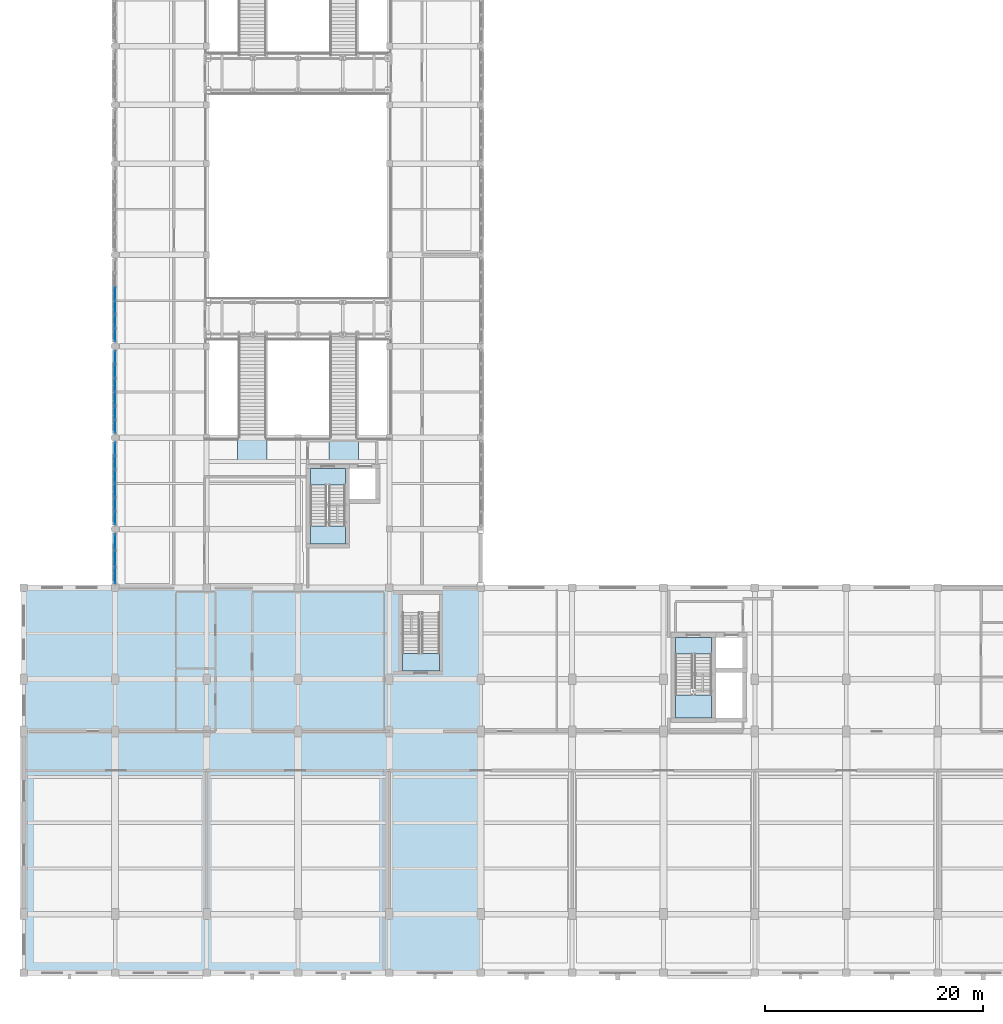
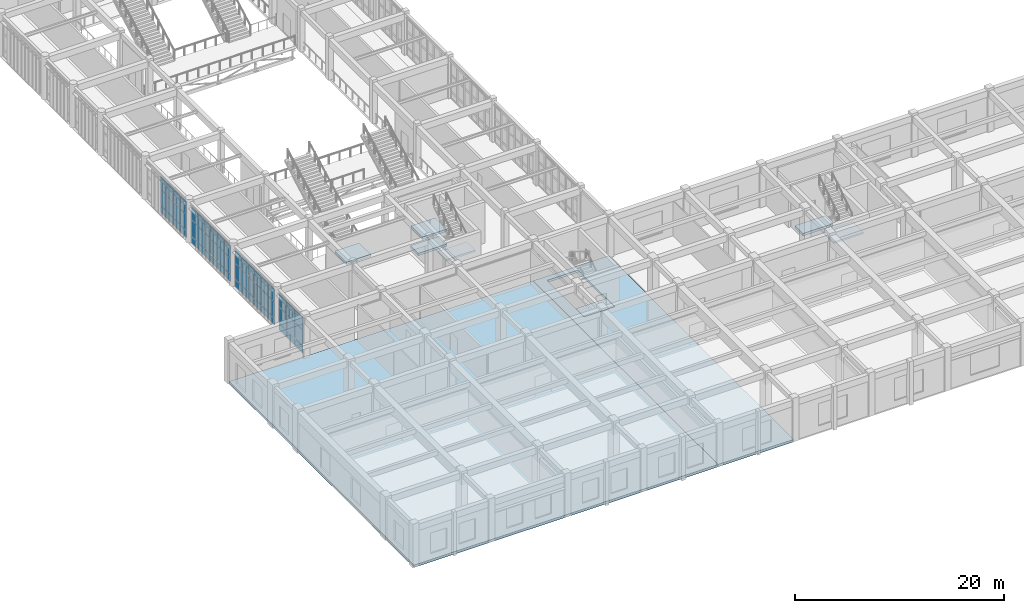
# One storey, part 67 of 106: 57 plates, 9 slabs, 6 elements without a shape of their own.
"""IFC4 building model written with IfcOpenShell, lengths in metres."""

from ifc_helpers import new_model, si_unit, direction, frame, origin, origin_2d, place, context, subcontext, project, spatial, polyline, rectangle, outline, extrude, material, layer, layer_set, type_object, element, aggregate, save


model = new_model("IFC4")

# Units and contexts
model_context = context("Model", 3, precision=1e-05, world=origin(), true_north=direction((0.0, 1.0)))
body_context = subcontext(model_context, "Body", "Model", "MODEL_VIEW")
ifc_project = project(units=[si_unit("LENGTHUNIT", "METRE"), si_unit("AREAUNIT", "SQUARE_METRE"), si_unit("VOLUMEUNIT", "CUBIC_METRE"), si_unit("PLANEANGLEUNIT", "RADIAN"), si_unit("MASSUNIT", "GRAM", prefix="KILO")], contexts=[model_context])

# Site, building, storey
site_placement = place(None, origin())
site = spatial("IfcSite", under=ifc_project, at=site_placement, CompositionType="ELEMENT")
building_placement = place(site_placement, origin())
building = spatial("IfcBuilding", under=site, at=building_placement, Name="Krzemoval Escarpment Law Courts", CompositionType="ELEMENT")
storey_placement = place(building_placement, frame((0.0, 0.0, 5.10009765625)))
storey = spatial("IfcBuildingStorey", under=building, at=storey_placement, Name="L01", CompositionType="ELEMENT", Elevation=5.10009765625)

# Curtain wall, plates
ifc_material_1 = material(Name="Aluminium 6063-T6", Category="aluminium")
ifc_layer_1 = layer(ifc_material_1, 0.280029296875)
ifc_layer_set_1 = layer_set([ifc_layer_1], Name="Aluminium 6063-T6")
curtain_wall_type = type_object("IfcCurtainWallType", Name="CW-HALL-5100", PredefinedType="USERDEFINED", material=ifc_layer_set_1)
curtain_wall_1_placement = place(storey_placement, origin())
curtain_wall_1 = element("IfcCurtainWall", 1, at=curtain_wall_1_placement, inside=storey, type_object=curtain_wall_type, Name="Unitised Curtain Wall FCW-L01-022", ObjectType="UNITISED_CURTAIN_WALL", PredefinedType="USERDEFINED")
ifc_material_2 = material(Name="Triple Glazing IGU", Category="glass")
ifc_layer_2 = layer(ifc_material_2, 0.053955078125)
ifc_layer_set_2 = layer_set([ifc_layer_2], Name="Triple Glazing IGU")
plate_type = type_object("IfcPlateType", Name="CWP-GLZ-54", PredefinedType="CURTAIN_PANEL", material=ifc_layer_set_2)
plate_1_placement = place(storey_placement, frame((8.39990234375, 36.550537109375, 0.0849609375), z_axis=(0.0, 0.0, 1.0), x_axis=(0.0, 1.0, 0.0)))
plate_1 = element("IfcPlate", 2, at=plate_1_placement, type_object=plate_type, Name="FCW-L01-022 panel 1.1", PredefinedType="CURTAIN_PANEL", context=body_context, shape_type="SweptSolid", body=[
    extrude(rectangle(XDim=1.430908203125, YDim=0.053955078125, at=origin_2d()), origin(), (0.0, 0.0, 1.0), 0.7724609375),
])
plate_2_placement = place(storey_placement, frame((8.39990234375, 36.550537109375, 0.9423828125), z_axis=(0.0, 0.0, 1.0), x_axis=(0.0, 1.0, 0.0)))
plate_2 = element("IfcPlate", 3, at=plate_2_placement, type_object=plate_type, Name="FCW-L01-022 panel 1.2", PredefinedType="CURTAIN_PANEL", context=body_context, shape_type="SweptSolid", body=[
    extrude(rectangle(XDim=1.430908203125, YDim=0.053955078125, at=origin_2d()), origin(), (0.0, 0.0, 1.0), 1.81494140625),
])
plate_3_placement = place(storey_placement, frame((8.39990234375, 36.550537109375, 2.842529296875), z_axis=(0.0, 0.0, 1.0), x_axis=(0.0, 1.0, 0.0)))
plate_3 = element("IfcPlate", 4, at=plate_3_placement, type_object=plate_type, Name="FCW-L01-022 panel 1.3", PredefinedType="CURTAIN_PANEL", context=body_context, shape_type="SweptSolid", body=[
    extrude(rectangle(XDim=1.430908203125, YDim=0.053955078125, at=origin_2d()), origin(), (0.0, 0.0, 1.0), 1.4423828125),
])
plate_4_placement = place(storey_placement, frame((8.39990234375, 38.08740234375, 0.0849609375), z_axis=(0.0, 0.0, 1.0), x_axis=(0.0, 1.0, 0.0)))
plate_4 = element("IfcPlate", 5, at=plate_4_placement, type_object=plate_type, Name="FCW-L01-022 panel 2.1", PredefinedType="CURTAIN_PANEL", context=body_context, shape_type="SweptSolid", body=[
    extrude(rectangle(XDim=1.473388671875, YDim=0.053955078125, at=origin_2d()), origin(), (0.0, 0.0, 1.0), 0.7724609375),
])
plate_5_placement = place(storey_placement, frame((8.39990234375, 38.08740234375, 0.9423828125), z_axis=(0.0, 0.0, 1.0), x_axis=(0.0, 1.0, 0.0)))
plate_5 = element("IfcPlate", 6, at=plate_5_placement, type_object=plate_type, Name="FCW-L01-022 panel 2.2", PredefinedType="CURTAIN_PANEL", context=body_context, shape_type="SweptSolid", body=[
    extrude(rectangle(XDim=1.473388671875, YDim=0.053955078125, at=origin_2d()), origin(), (0.0, 0.0, 1.0), 1.81494140625),
])
plate_6_placement = place(storey_placement, frame((8.39990234375, 38.08740234375, 2.842529296875), z_axis=(0.0, 0.0, 1.0), x_axis=(0.0, 1.0, 0.0)))
plate_6 = element("IfcPlate", 7, at=plate_6_placement, type_object=plate_type, Name="FCW-L01-022 panel 2.3", PredefinedType="CURTAIN_PANEL", context=body_context, shape_type="SweptSolid", body=[
    extrude(rectangle(XDim=1.473388671875, YDim=0.053955078125, at=origin_2d()), origin(), (0.0, 0.0, 1.0), 1.4423828125),
])
plate_7_placement = place(storey_placement, frame((8.39990234375, 39.62451171875, 0.0849609375), z_axis=(0.0, 0.0, 1.0), x_axis=(0.0, 1.0, 0.0)))
plate_7 = element("IfcPlate", 8, at=plate_7_placement, type_object=plate_type, Name="FCW-L01-022 panel 3.1", PredefinedType="CURTAIN_PANEL", context=body_context, shape_type="SweptSolid", body=[
    extrude(rectangle(XDim=1.430908203125, YDim=0.053955078125, at=origin_2d()), origin(), (0.0, 0.0, 1.0), 0.7724609375),
])
plate_8_placement = place(storey_placement, frame((8.39990234375, 39.62451171875, 0.9423828125), z_axis=(0.0, 0.0, 1.0), x_axis=(0.0, 1.0, 0.0)))
plate_8 = element("IfcPlate", 9, at=plate_8_placement, type_object=plate_type, Name="FCW-L01-022 panel 3.2", PredefinedType="CURTAIN_PANEL", context=body_context, shape_type="SweptSolid", body=[
    extrude(rectangle(XDim=1.430908203125, YDim=0.053955078125, at=origin_2d()), origin(), (0.0, 0.0, 1.0), 1.81494140625),
])
plate_9_placement = place(storey_placement, frame((8.39990234375, 39.62451171875, 2.842529296875), z_axis=(0.0, 0.0, 1.0), x_axis=(0.0, 1.0, 0.0)))
plate_9 = element("IfcPlate", 10, at=plate_9_placement, type_object=plate_type, Name="FCW-L01-022 panel 3.3", PredefinedType="CURTAIN_PANEL", context=body_context, shape_type="SweptSolid", body=[
    extrude(rectangle(XDim=1.430908203125, YDim=0.053955078125, at=origin_2d()), origin(), (0.0, 0.0, 1.0), 1.4423828125),
])
aggregate(curtain_wall_1, [plate_1, plate_2, plate_3, plate_4, plate_5, plate_6, plate_7, plate_8, plate_9])

curtain_wall_2_placement = place(storey_placement, origin())
curtain_wall_2 = element("IfcCurtainWall", 11, at=curtain_wall_2_placement, inside=storey, type_object=curtain_wall_type, Name="Unitised Curtain Wall FCW-L01-023", ObjectType="UNITISED_CURTAIN_WALL", PredefinedType="USERDEFINED")
plate_10_placement = place(storey_placement, frame((8.39990234375, 41.833740234375, 0.0849609375), z_axis=(0.0, 0.0, 1.0), x_axis=(0.0, 1.0, 0.0)))
plate_10 = element("IfcPlate", 12, at=plate_10_placement, type_object=plate_type, Name="FCW-L01-023 panel 1.1", PredefinedType="CURTAIN_PANEL", context=body_context, shape_type="SweptSolid", body=[
    extrude(rectangle(XDim=1.1474609375, YDim=0.053955078125, at=origin_2d()), origin(), (0.0, 0.0, 1.0), 0.7724609375),
])
plate_11_placement = place(storey_placement, frame((8.39990234375, 41.833740234375, 0.9423828125), z_axis=(0.0, 0.0, 1.0), x_axis=(0.0, 1.0, 0.0)))
plate_11 = element("IfcPlate", 13, at=plate_11_placement, type_object=plate_type, Name="FCW-L01-023 panel 1.2", PredefinedType="CURTAIN_PANEL", context=body_context, shape_type="SweptSolid", body=[
    extrude(rectangle(XDim=1.1474609375, YDim=0.053955078125, at=origin_2d()), origin(), (0.0, 0.0, 1.0), 1.81494140625),
])
plate_12_placement = place(storey_placement, frame((8.39990234375, 41.833740234375, 2.842529296875), z_axis=(0.0, 0.0, 1.0), x_axis=(0.0, 1.0, 0.0)))
plate_12 = element("IfcPlate", 14, at=plate_12_placement, type_object=plate_type, Name="FCW-L01-023 panel 1.3", PredefinedType="CURTAIN_PANEL", context=body_context, shape_type="SweptSolid", body=[
    extrude(rectangle(XDim=1.1474609375, YDim=0.053955078125, at=origin_2d()), origin(), (0.0, 0.0, 1.0), 1.4423828125),
])
plate_13_placement = place(storey_placement, frame((8.39990234375, 43.08740234375, 0.0849609375), z_axis=(0.0, 0.0, 1.0), x_axis=(0.0, 1.0, 0.0)))
plate_13 = element("IfcPlate", 15, at=plate_13_placement, type_object=plate_type, Name="FCW-L01-023 panel 2.1", PredefinedType="CURTAIN_PANEL", context=body_context, shape_type="SweptSolid", body=[
    extrude(rectangle(XDim=1.18994140625, YDim=0.053955078125, at=origin_2d()), origin(), (0.0, 0.0, 1.0), 0.7724609375),
])
plate_14_placement = place(storey_placement, frame((8.39990234375, 43.08740234375, 0.9423828125), z_axis=(0.0, 0.0, 1.0), x_axis=(0.0, 1.0, 0.0)))
plate_14 = element("IfcPlate", 16, at=plate_14_placement, type_object=plate_type, Name="FCW-L01-023 panel 2.2", PredefinedType="CURTAIN_PANEL", context=body_context, shape_type="SweptSolid", body=[
    extrude(rectangle(XDim=1.18994140625, YDim=0.053955078125, at=origin_2d()), origin(), (0.0, 0.0, 1.0), 1.81494140625),
])
plate_15_placement = place(storey_placement, frame((8.39990234375, 43.08740234375, 2.842529296875), z_axis=(0.0, 0.0, 1.0), x_axis=(0.0, 1.0, 0.0)))
plate_15 = element("IfcPlate", 17, at=plate_15_placement, type_object=plate_type, Name="FCW-L01-023 panel 2.3", PredefinedType="CURTAIN_PANEL", context=body_context, shape_type="SweptSolid", body=[
    extrude(rectangle(XDim=1.18994140625, YDim=0.053955078125, at=origin_2d()), origin(), (0.0, 0.0, 1.0), 1.4423828125),
])
plate_16_placement = place(storey_placement, frame((8.39990234375, 44.362548828125, 0.0849609375), z_axis=(0.0, 0.0, 1.0), x_axis=(0.0, 1.0, 0.0)))
plate_16 = element("IfcPlate", 18, at=plate_16_placement, type_object=plate_type, Name="FCW-L01-023 panel 3.1", PredefinedType="CURTAIN_PANEL", context=body_context, shape_type="SweptSolid", body=[
    extrude(rectangle(XDim=1.18994140625, YDim=0.053955078125, at=origin_2d()), origin(), (0.0, 0.0, 1.0), 0.7724609375),
])
plate_17_placement = place(storey_placement, frame((8.39990234375, 44.362548828125, 0.9423828125), z_axis=(0.0, 0.0, 1.0), x_axis=(0.0, 1.0, 0.0)))
plate_17 = element("IfcPlate", 19, at=plate_17_placement, type_object=plate_type, Name="FCW-L01-023 panel 3.2", PredefinedType="CURTAIN_PANEL", context=body_context, shape_type="SweptSolid", body=[
    extrude(rectangle(XDim=1.18994140625, YDim=0.053955078125, at=origin_2d()), origin(), (0.0, 0.0, 1.0), 1.81494140625),
])
plate_18_placement = place(storey_placement, frame((8.39990234375, 44.362548828125, 2.842529296875), z_axis=(0.0, 0.0, 1.0), x_axis=(0.0, 1.0, 0.0)))
plate_18 = element("IfcPlate", 20, at=plate_18_placement, type_object=plate_type, Name="FCW-L01-023 panel 3.3", PredefinedType="CURTAIN_PANEL", context=body_context, shape_type="SweptSolid", body=[
    extrude(rectangle(XDim=1.18994140625, YDim=0.053955078125, at=origin_2d()), origin(), (0.0, 0.0, 1.0), 1.4423828125),
])
plate_19_placement = place(storey_placement, frame((8.39990234375, 45.637451171875, 0.0849609375), z_axis=(0.0, 0.0, 1.0), x_axis=(0.0, 1.0, 0.0)))
plate_19 = element("IfcPlate", 21, at=plate_19_placement, type_object=plate_type, Name="FCW-L01-023 panel 4.1", PredefinedType="CURTAIN_PANEL", context=body_context, shape_type="SweptSolid", body=[
    extrude(rectangle(XDim=1.18994140625, YDim=0.053955078125, at=origin_2d()), origin(), (0.0, 0.0, 1.0), 0.7724609375),
])
plate_20_placement = place(storey_placement, frame((8.39990234375, 45.637451171875, 0.9423828125), z_axis=(0.0, 0.0, 1.0), x_axis=(0.0, 1.0, 0.0)))
plate_20 = element("IfcPlate", 22, at=plate_20_placement, type_object=plate_type, Name="FCW-L01-023 panel 4.2", PredefinedType="CURTAIN_PANEL", context=body_context, shape_type="SweptSolid", body=[
    extrude(rectangle(XDim=1.18994140625, YDim=0.053955078125, at=origin_2d()), origin(), (0.0, 0.0, 1.0), 1.81494140625),
])
plate_21_placement = place(storey_placement, frame((8.39990234375, 45.637451171875, 2.842529296875), z_axis=(0.0, 0.0, 1.0), x_axis=(0.0, 1.0, 0.0)))
plate_21 = element("IfcPlate", 23, at=plate_21_placement, type_object=plate_type, Name="FCW-L01-023 panel 4.3", PredefinedType="CURTAIN_PANEL", context=body_context, shape_type="SweptSolid", body=[
    extrude(rectangle(XDim=1.18994140625, YDim=0.053955078125, at=origin_2d()), origin(), (0.0, 0.0, 1.0), 1.4423828125),
])
plate_22_placement = place(storey_placement, frame((8.39990234375, 46.91259765625, 0.0849609375), z_axis=(0.0, 0.0, 1.0), x_axis=(0.0, 1.0, 0.0)))
plate_22 = element("IfcPlate", 24, at=plate_22_placement, type_object=plate_type, Name="FCW-L01-023 panel 5.1", PredefinedType="CURTAIN_PANEL", context=body_context, shape_type="SweptSolid", body=[
    extrude(rectangle(XDim=1.18994140625, YDim=0.053955078125, at=origin_2d()), origin(), (0.0, 0.0, 1.0), 0.7724609375),
])
plate_23_placement = place(storey_placement, frame((8.39990234375, 46.91259765625, 0.9423828125), z_axis=(0.0, 0.0, 1.0), x_axis=(0.0, 1.0, 0.0)))
plate_23 = element("IfcPlate", 25, at=plate_23_placement, type_object=plate_type, Name="FCW-L01-023 panel 5.2", PredefinedType="CURTAIN_PANEL", context=body_context, shape_type="SweptSolid", body=[
    extrude(rectangle(XDim=1.18994140625, YDim=0.053955078125, at=origin_2d()), origin(), (0.0, 0.0, 1.0), 1.81494140625),
])
plate_24_placement = place(storey_placement, frame((8.39990234375, 46.91259765625, 2.842529296875), z_axis=(0.0, 0.0, 1.0), x_axis=(0.0, 1.0, 0.0)))
plate_24 = element("IfcPlate", 26, at=plate_24_placement, type_object=plate_type, Name="FCW-L01-023 panel 5.3", PredefinedType="CURTAIN_PANEL", context=body_context, shape_type="SweptSolid", body=[
    extrude(rectangle(XDim=1.18994140625, YDim=0.053955078125, at=origin_2d()), origin(), (0.0, 0.0, 1.0), 1.4423828125),
])
plate_25_placement = place(storey_placement, frame((8.39990234375, 48.166259765625, 0.0849609375), z_axis=(0.0, 0.0, 1.0), x_axis=(0.0, 1.0, 0.0)))
plate_25 = element("IfcPlate", 27, at=plate_25_placement, type_object=plate_type, Name="FCW-L01-023 panel 6.1", PredefinedType="CURTAIN_PANEL", context=body_context, shape_type="SweptSolid", body=[
    extrude(rectangle(XDim=1.1474609375, YDim=0.053955078125, at=origin_2d()), origin(), (0.0, 0.0, 1.0), 0.7724609375),
])
plate_26_placement = place(storey_placement, frame((8.39990234375, 48.166259765625, 0.9423828125), z_axis=(0.0, 0.0, 1.0), x_axis=(0.0, 1.0, 0.0)))
plate_26 = element("IfcPlate", 28, at=plate_26_placement, type_object=plate_type, Name="FCW-L01-023 panel 6.2", PredefinedType="CURTAIN_PANEL", context=body_context, shape_type="SweptSolid", body=[
    extrude(rectangle(XDim=1.1474609375, YDim=0.053955078125, at=origin_2d()), origin(), (0.0, 0.0, 1.0), 1.81494140625),
])
plate_27_placement = place(storey_placement, frame((8.39990234375, 48.166259765625, 2.842529296875), z_axis=(0.0, 0.0, 1.0), x_axis=(0.0, 1.0, 0.0)))
plate_27 = element("IfcPlate", 29, at=plate_27_placement, type_object=plate_type, Name="FCW-L01-023 panel 6.3", PredefinedType="CURTAIN_PANEL", context=body_context, shape_type="SweptSolid", body=[
    extrude(rectangle(XDim=1.1474609375, YDim=0.053955078125, at=origin_2d()), origin(), (0.0, 0.0, 1.0), 1.4423828125),
])
aggregate(curtain_wall_2, [plate_10, plate_11, plate_12, plate_13, plate_14, plate_15, plate_16, plate_17, plate_18, plate_19, plate_20, plate_21, plate_22, plate_23, plate_24, plate_25, plate_26, plate_27])

curtain_wall_3_placement = place(storey_placement, origin())
curtain_wall_3 = element("IfcCurtainWall", 30, at=curtain_wall_3_placement, inside=storey, type_object=curtain_wall_type, Name="Unitised Curtain Wall FCW-L01-024", ObjectType="UNITISED_CURTAIN_WALL", PredefinedType="USERDEFINED")
plate_28_placement = place(storey_placement, frame((8.39990234375, 50.233642578125, 0.0849609375), z_axis=(0.0, 0.0, 1.0), x_axis=(0.0, 1.0, 0.0)))
plate_28 = element("IfcPlate", 31, at=plate_28_placement, type_object=plate_type, Name="FCW-L01-024 panel 1.1", PredefinedType="CURTAIN_PANEL", context=body_context, shape_type="SweptSolid", body=[
    extrude(rectangle(XDim=1.1474609375, YDim=0.053955078125, at=origin_2d()), origin(), (0.0, 0.0, 1.0), 0.7724609375),
])
plate_29_placement = place(storey_placement, frame((8.39990234375, 50.233642578125, 0.9423828125), z_axis=(0.0, 0.0, 1.0), x_axis=(0.0, 1.0, 0.0)))
plate_29 = element("IfcPlate", 32, at=plate_29_placement, type_object=plate_type, Name="FCW-L01-024 panel 1.2", PredefinedType="CURTAIN_PANEL", context=body_context, shape_type="SweptSolid", body=[
    extrude(rectangle(XDim=1.1474609375, YDim=0.053955078125, at=origin_2d()), origin(), (0.0, 0.0, 1.0), 1.81494140625),
])
plate_30_placement = place(storey_placement, frame((8.39990234375, 50.233642578125, 2.842529296875), z_axis=(0.0, 0.0, 1.0), x_axis=(0.0, 1.0, 0.0)))
plate_30 = element("IfcPlate", 33, at=plate_30_placement, type_object=plate_type, Name="FCW-L01-024 panel 1.3", PredefinedType="CURTAIN_PANEL", context=body_context, shape_type="SweptSolid", body=[
    extrude(rectangle(XDim=1.1474609375, YDim=0.053955078125, at=origin_2d()), origin(), (0.0, 0.0, 1.0), 1.4423828125),
])
plate_31_placement = place(storey_placement, frame((8.39990234375, 51.487548828125, 0.0849609375), z_axis=(0.0, 0.0, 1.0), x_axis=(0.0, 1.0, 0.0)))
plate_31 = element("IfcPlate", 34, at=plate_31_placement, type_object=plate_type, Name="FCW-L01-024 panel 2.1", PredefinedType="CURTAIN_PANEL", context=body_context, shape_type="SweptSolid", body=[
    extrude(rectangle(XDim=1.18994140625, YDim=0.053955078125, at=origin_2d()), origin(), (0.0, 0.0, 1.0), 0.7724609375),
])
plate_32_placement = place(storey_placement, frame((8.39990234375, 51.487548828125, 0.9423828125), z_axis=(0.0, 0.0, 1.0), x_axis=(0.0, 1.0, 0.0)))
plate_32 = element("IfcPlate", 35, at=plate_32_placement, type_object=plate_type, Name="FCW-L01-024 panel 2.2", PredefinedType="CURTAIN_PANEL", context=body_context, shape_type="SweptSolid", body=[
    extrude(rectangle(XDim=1.18994140625, YDim=0.053955078125, at=origin_2d()), origin(), (0.0, 0.0, 1.0), 1.81494140625),
])
plate_33_placement = place(storey_placement, frame((8.39990234375, 51.487548828125, 2.842529296875), z_axis=(0.0, 0.0, 1.0), x_axis=(0.0, 1.0, 0.0)))
plate_33 = element("IfcPlate", 36, at=plate_33_placement, type_object=plate_type, Name="FCW-L01-024 panel 2.3", PredefinedType="CURTAIN_PANEL", context=body_context, shape_type="SweptSolid", body=[
    extrude(rectangle(XDim=1.18994140625, YDim=0.053955078125, at=origin_2d()), origin(), (0.0, 0.0, 1.0), 1.4423828125),
])
plate_34_placement = place(storey_placement, frame((8.39990234375, 52.762451171875, 0.0849609375), z_axis=(0.0, 0.0, 1.0), x_axis=(0.0, 1.0, 0.0)))
plate_34 = element("IfcPlate", 37, at=plate_34_placement, type_object=plate_type, Name="FCW-L01-024 panel 3.1", PredefinedType="CURTAIN_PANEL", context=body_context, shape_type="SweptSolid", body=[
    extrude(rectangle(XDim=1.18994140625, YDim=0.053955078125, at=origin_2d()), origin(), (0.0, 0.0, 1.0), 0.7724609375),
])
plate_35_placement = place(storey_placement, frame((8.39990234375, 52.762451171875, 0.9423828125), z_axis=(0.0, 0.0, 1.0), x_axis=(0.0, 1.0, 0.0)))
plate_35 = element("IfcPlate", 38, at=plate_35_placement, type_object=plate_type, Name="FCW-L01-024 panel 3.2", PredefinedType="CURTAIN_PANEL", context=body_context, shape_type="SweptSolid", body=[
    extrude(rectangle(XDim=1.18994140625, YDim=0.053955078125, at=origin_2d()), origin(), (0.0, 0.0, 1.0), 1.81494140625),
])
plate_36_placement = place(storey_placement, frame((8.39990234375, 52.762451171875, 2.842529296875), z_axis=(0.0, 0.0, 1.0), x_axis=(0.0, 1.0, 0.0)))
plate_36 = element("IfcPlate", 39, at=plate_36_placement, type_object=plate_type, Name="FCW-L01-024 panel 3.3", PredefinedType="CURTAIN_PANEL", context=body_context, shape_type="SweptSolid", body=[
    extrude(rectangle(XDim=1.18994140625, YDim=0.053955078125, at=origin_2d()), origin(), (0.0, 0.0, 1.0), 1.4423828125),
])
plate_37_placement = place(storey_placement, frame((8.39990234375, 54.03759765625, 0.0849609375), z_axis=(0.0, 0.0, 1.0), x_axis=(0.0, 1.0, 0.0)))
plate_37 = element("IfcPlate", 40, at=plate_37_placement, type_object=plate_type, Name="FCW-L01-024 panel 4.1", PredefinedType="CURTAIN_PANEL", context=body_context, shape_type="SweptSolid", body=[
    extrude(rectangle(XDim=1.18994140625, YDim=0.053955078125, at=origin_2d()), origin(), (0.0, 0.0, 1.0), 0.7724609375),
])
plate_38_placement = place(storey_placement, frame((8.39990234375, 54.03759765625, 0.9423828125), z_axis=(0.0, 0.0, 1.0), x_axis=(0.0, 1.0, 0.0)))
plate_38 = element("IfcPlate", 41, at=plate_38_placement, type_object=plate_type, Name="FCW-L01-024 panel 4.2", PredefinedType="CURTAIN_PANEL", context=body_context, shape_type="SweptSolid", body=[
    extrude(rectangle(XDim=1.18994140625, YDim=0.053955078125, at=origin_2d()), origin(), (0.0, 0.0, 1.0), 1.81494140625),
])
plate_39_placement = place(storey_placement, frame((8.39990234375, 54.03759765625, 2.842529296875), z_axis=(0.0, 0.0, 1.0), x_axis=(0.0, 1.0, 0.0)))
plate_39 = element("IfcPlate", 42, at=plate_39_placement, type_object=plate_type, Name="FCW-L01-024 panel 4.3", PredefinedType="CURTAIN_PANEL", context=body_context, shape_type="SweptSolid", body=[
    extrude(rectangle(XDim=1.18994140625, YDim=0.053955078125, at=origin_2d()), origin(), (0.0, 0.0, 1.0), 1.4423828125),
])
plate_40_placement = place(storey_placement, frame((8.39990234375, 55.3125, 0.0849609375), z_axis=(0.0, 0.0, 1.0), x_axis=(0.0, 1.0, 0.0)))
plate_40 = element("IfcPlate", 43, at=plate_40_placement, type_object=plate_type, Name="FCW-L01-024 panel 5.1", PredefinedType="CURTAIN_PANEL", context=body_context, shape_type="SweptSolid", body=[
    extrude(rectangle(XDim=1.18994140625, YDim=0.053955078125, at=origin_2d()), origin(), (0.0, 0.0, 1.0), 0.7724609375),
])
plate_41_placement = place(storey_placement, frame((8.39990234375, 55.3125, 0.9423828125), z_axis=(0.0, 0.0, 1.0), x_axis=(0.0, 1.0, 0.0)))
plate_41 = element("IfcPlate", 44, at=plate_41_placement, type_object=plate_type, Name="FCW-L01-024 panel 5.2", PredefinedType="CURTAIN_PANEL", context=body_context, shape_type="SweptSolid", body=[
    extrude(rectangle(XDim=1.18994140625, YDim=0.053955078125, at=origin_2d()), origin(), (0.0, 0.0, 1.0), 1.81494140625),
])
plate_42_placement = place(storey_placement, frame((8.39990234375, 55.3125, 2.842529296875), z_axis=(0.0, 0.0, 1.0), x_axis=(0.0, 1.0, 0.0)))
plate_42 = element("IfcPlate", 45, at=plate_42_placement, type_object=plate_type, Name="FCW-L01-024 panel 5.3", PredefinedType="CURTAIN_PANEL", context=body_context, shape_type="SweptSolid", body=[
    extrude(rectangle(XDim=1.18994140625, YDim=0.053955078125, at=origin_2d()), origin(), (0.0, 0.0, 1.0), 1.4423828125),
])
plate_43_placement = place(storey_placement, frame((8.39990234375, 56.566162109375, 0.0849609375), z_axis=(0.0, 0.0, 1.0), x_axis=(0.0, 1.0, 0.0)))
plate_43 = element("IfcPlate", 46, at=plate_43_placement, type_object=plate_type, Name="FCW-L01-024 panel 6.1", PredefinedType="CURTAIN_PANEL", context=body_context, shape_type="SweptSolid", body=[
    extrude(rectangle(XDim=1.1474609375, YDim=0.053955078125, at=origin_2d()), origin(), (0.0, 0.0, 1.0), 0.7724609375),
])
plate_44_placement = place(storey_placement, frame((8.39990234375, 56.566162109375, 0.9423828125), z_axis=(0.0, 0.0, 1.0), x_axis=(0.0, 1.0, 0.0)))
plate_44 = element("IfcPlate", 47, at=plate_44_placement, type_object=plate_type, Name="FCW-L01-024 panel 6.2", PredefinedType="CURTAIN_PANEL", context=body_context, shape_type="SweptSolid", body=[
    extrude(rectangle(XDim=1.1474609375, YDim=0.053955078125, at=origin_2d()), origin(), (0.0, 0.0, 1.0), 1.81494140625),
])
plate_45_placement = place(storey_placement, frame((8.39990234375, 56.566162109375, 2.842529296875), z_axis=(0.0, 0.0, 1.0), x_axis=(0.0, 1.0, 0.0)))
plate_45 = element("IfcPlate", 48, at=plate_45_placement, type_object=plate_type, Name="FCW-L01-024 panel 6.3", PredefinedType="CURTAIN_PANEL", context=body_context, shape_type="SweptSolid", body=[
    extrude(rectangle(XDim=1.1474609375, YDim=0.053955078125, at=origin_2d()), origin(), (0.0, 0.0, 1.0), 1.4423828125),
])
aggregate(curtain_wall_3, [plate_28, plate_29, plate_30, plate_31, plate_32, plate_33, plate_34, plate_35, plate_36, plate_37, plate_38, plate_39, plate_40, plate_41, plate_42, plate_43, plate_44, plate_45])

curtain_wall_4_placement = place(storey_placement, origin())
curtain_wall_4 = element("IfcCurtainWall", 49, at=curtain_wall_4_placement, inside=storey, type_object=curtain_wall_type, Name="Unitised Curtain Wall FCW-L01-025", ObjectType="UNITISED_CURTAIN_WALL", PredefinedType="USERDEFINED")
plate_46_placement = place(storey_placement, frame((8.39990234375, 58.6337890625, 0.0849609375), z_axis=(0.0, 0.0, 1.0), x_axis=(0.0, 1.0, 0.0)))
plate_46 = element("IfcPlate", 50, at=plate_46_placement, type_object=plate_type, Name="FCW-L01-025 panel 1.1", PredefinedType="CURTAIN_PANEL", context=body_context, shape_type="SweptSolid", body=[
    extrude(rectangle(XDim=1.1474609375, YDim=0.053955078125, at=origin_2d()), origin(), (0.0, 0.0, 1.0), 0.7724609375),
])
plate_47_placement = place(storey_placement, frame((8.39990234375, 58.6337890625, 0.9423828125), z_axis=(0.0, 0.0, 1.0), x_axis=(0.0, 1.0, 0.0)))
plate_47 = element("IfcPlate", 51, at=plate_47_placement, type_object=plate_type, Name="FCW-L01-025 panel 1.2", PredefinedType="CURTAIN_PANEL", context=body_context, shape_type="SweptSolid", body=[
    extrude(rectangle(XDim=1.1474609375, YDim=0.053955078125, at=origin_2d()), origin(), (0.0, 0.0, 1.0), 1.81494140625),
])
plate_48_placement = place(storey_placement, frame((8.39990234375, 58.6337890625, 2.842529296875), z_axis=(0.0, 0.0, 1.0), x_axis=(0.0, 1.0, 0.0)))
plate_48 = element("IfcPlate", 52, at=plate_48_placement, type_object=plate_type, Name="FCW-L01-025 panel 1.3", PredefinedType="CURTAIN_PANEL", context=body_context, shape_type="SweptSolid", body=[
    extrude(rectangle(XDim=1.1474609375, YDim=0.053955078125, at=origin_2d()), origin(), (0.0, 0.0, 1.0), 1.4423828125),
])
plate_49_placement = place(storey_placement, frame((8.39990234375, 59.887451171875, 0.0849609375), z_axis=(0.0, 0.0, 1.0), x_axis=(0.0, 1.0, 0.0)))
plate_49 = element("IfcPlate", 53, at=plate_49_placement, type_object=plate_type, Name="FCW-L01-025 panel 2.1", PredefinedType="CURTAIN_PANEL", context=body_context, shape_type="SweptSolid", body=[
    extrude(rectangle(XDim=1.18994140625, YDim=0.053955078125, at=origin_2d()), origin(), (0.0, 0.0, 1.0), 0.7724609375),
])
plate_50_placement = place(storey_placement, frame((8.39990234375, 59.887451171875, 0.9423828125), z_axis=(0.0, 0.0, 1.0), x_axis=(0.0, 1.0, 0.0)))
plate_50 = element("IfcPlate", 54, at=plate_50_placement, type_object=plate_type, Name="FCW-L01-025 panel 2.2", PredefinedType="CURTAIN_PANEL", context=body_context, shape_type="SweptSolid", body=[
    extrude(rectangle(XDim=1.18994140625, YDim=0.053955078125, at=origin_2d()), origin(), (0.0, 0.0, 1.0), 1.81494140625),
])
plate_51_placement = place(storey_placement, frame((8.39990234375, 59.887451171875, 2.842529296875), z_axis=(0.0, 0.0, 1.0), x_axis=(0.0, 1.0, 0.0)))
plate_51 = element("IfcPlate", 55, at=plate_51_placement, type_object=plate_type, Name="FCW-L01-025 panel 2.3", PredefinedType="CURTAIN_PANEL", context=body_context, shape_type="SweptSolid", body=[
    extrude(rectangle(XDim=1.18994140625, YDim=0.053955078125, at=origin_2d()), origin(), (0.0, 0.0, 1.0), 1.4423828125),
])
plate_52_placement = place(storey_placement, frame((8.39990234375, 61.16259765625, 0.0849609375), z_axis=(0.0, 0.0, 1.0), x_axis=(0.0, 1.0, 0.0)))
plate_52 = element("IfcPlate", 56, at=plate_52_placement, type_object=plate_type, Name="FCW-L01-025 panel 3.1", PredefinedType="CURTAIN_PANEL", context=body_context, shape_type="SweptSolid", body=[
    extrude(rectangle(XDim=1.18994140625, YDim=0.053955078125, at=origin_2d()), origin(), (0.0, 0.0, 1.0), 0.7724609375),
])
plate_53_placement = place(storey_placement, frame((8.39990234375, 61.16259765625, 0.9423828125), z_axis=(0.0, 0.0, 1.0), x_axis=(0.0, 1.0, 0.0)))
plate_53 = element("IfcPlate", 57, at=plate_53_placement, type_object=plate_type, Name="FCW-L01-025 panel 3.2", PredefinedType="CURTAIN_PANEL", context=body_context, shape_type="SweptSolid", body=[
    extrude(rectangle(XDim=1.18994140625, YDim=0.053955078125, at=origin_2d()), origin(), (0.0, 0.0, 1.0), 1.81494140625),
])
plate_54_placement = place(storey_placement, frame((8.39990234375, 61.16259765625, 2.842529296875), z_axis=(0.0, 0.0, 1.0), x_axis=(0.0, 1.0, 0.0)))
plate_54 = element("IfcPlate", 58, at=plate_54_placement, type_object=plate_type, Name="FCW-L01-025 panel 3.3", PredefinedType="CURTAIN_PANEL", context=body_context, shape_type="SweptSolid", body=[
    extrude(rectangle(XDim=1.18994140625, YDim=0.053955078125, at=origin_2d()), origin(), (0.0, 0.0, 1.0), 1.4423828125),
])
plate_55_placement = place(storey_placement, frame((8.39990234375, 62.4375, 0.0849609375), z_axis=(0.0, 0.0, 1.0), x_axis=(0.0, 1.0, 0.0)))
plate_55 = element("IfcPlate", 59, at=plate_55_placement, type_object=plate_type, Name="FCW-L01-025 panel 4.1", PredefinedType="CURTAIN_PANEL", context=body_context, shape_type="SweptSolid", body=[
    extrude(rectangle(XDim=1.18994140625, YDim=0.053955078125, at=origin_2d()), origin(), (0.0, 0.0, 1.0), 0.7724609375),
])
plate_56_placement = place(storey_placement, frame((8.39990234375, 62.4375, 0.9423828125), z_axis=(0.0, 0.0, 1.0), x_axis=(0.0, 1.0, 0.0)))
plate_56 = element("IfcPlate", 60, at=plate_56_placement, type_object=plate_type, Name="FCW-L01-025 panel 4.2", PredefinedType="CURTAIN_PANEL", context=body_context, shape_type="SweptSolid", body=[
    extrude(rectangle(XDim=1.18994140625, YDim=0.053955078125, at=origin_2d()), origin(), (0.0, 0.0, 1.0), 1.81494140625),
])
plate_57_placement = place(storey_placement, frame((8.39990234375, 62.4375, 2.842529296875), z_axis=(0.0, 0.0, 1.0), x_axis=(0.0, 1.0, 0.0)))
plate_57 = element("IfcPlate", 61, at=plate_57_placement, type_object=plate_type, Name="FCW-L01-025 panel 4.3", PredefinedType="CURTAIN_PANEL", context=body_context, shape_type="SweptSolid", body=[
    extrude(rectangle(XDim=1.18994140625, YDim=0.053955078125, at=origin_2d()), origin(), (0.0, 0.0, 1.0), 1.4423828125),
])
aggregate(curtain_wall_4, [plate_46, plate_47, plate_48, plate_49, plate_50, plate_51, plate_52, plate_53, plate_54, plate_55, plate_56, plate_57])

# Stair, slab
ifc_material_3 = material(Name="Concrete C40/50", Category="concrete")
stair_type_1 = type_object("IfcStairType", Name="STR-CORE-1550", PredefinedType="HALF_TURN_STAIR", material=ifc_material_3)
stair_1_placement = place(storey_placement, origin())
stair_1 = element("IfcStair", 62, at=stair_1_placement, inside=storey, type_object=stair_type_1, Name="L01 ST4", PredefinedType="HALF_TURN_STAIR")
ifc_material_4 = material(Name="Concrete C40/50", Category="concrete")
ifc_layer_3 = layer(ifc_material_4, 0.199951171875)
ifc_layer_set_3 = layer_set([ifc_layer_3], Name="Concrete C40/50")
slab_type_1 = type_object("IfcSlabType", Name="SL-LND-200", PredefinedType="LANDING", material=ifc_layer_set_3)
slab_1_placement = place(storey_placement, frame((0.0, 0.0, 2.349853515625)))
slab_1 = element("IfcSlab", 63, at=slab_1_placement, type_object=slab_type_1, Name="ST4 landing 1", PredefinedType="LANDING", context=body_context, shape_type="SweptSolid", body=[
    extrude(outline(polyline([(59.89990234375, 25.530029296875), (59.89990234375, 23.449951171875), (63.199951171875, 23.449951171875), (63.199951171875, 25.530029296875), (59.89990234375, 25.530029296875)])), origin(), (0.0, 0.0, 1.0), 0.199951171875),
])
aggregate(stair_1, [slab_1])

ifc_material_5 = material(Name="Concrete C40/50", Category="concrete")
stair_type_2 = type_object("IfcStairType", Name="STR-CORE-1500", PredefinedType="HALF_TURN_STAIR", material=ifc_material_5)
stair_2_placement = place(storey_placement, origin())
stair_2 = element("IfcStair", 64, at=stair_2_placement, inside=storey, type_object=stair_type_2, Name="L01 ST5", PredefinedType="HALF_TURN_STAIR")
slab_2_placement = place(storey_placement, frame((0.0, 0.0, 2.349853515625)))
slab_2 = element("IfcSlab", 65, at=slab_2_placement, type_object=slab_type_1, Name="ST5 landing 1", PredefinedType="LANDING", context=body_context, shape_type="SweptSolid", body=[
    extrude(outline(polyline([(26.35009765625, 41.080078125), (26.35009765625, 39.449951171875), (29.550048828125, 39.449951171875), (29.550048828125, 41.080078125), (26.35009765625, 41.080078125)])), origin(), (0.0, 0.0, 1.0), 0.199951171875),
])
aggregate(stair_2, [slab_2])

# Slabs
ifc_material_6 = material(Name="Concrete C50/60", Category="concrete")
ifc_layer_4 = layer(ifc_material_6, 0.280029296875)
ifc_layer_set_4 = layer_set([ifc_layer_4], Name="Concrete C50/60")
slab_type_2 = type_object("IfcSlabType", Name="SL-PT-280", PredefinedType="FLOOR", material=ifc_layer_set_4)
slab_3_placement = place(storey_placement, frame((0.0, 0.0, -0.280029296875)))
element("IfcSlab", 66, at=slab_3_placement, inside=storey, type_object=slab_type_2, Name="Floor Slab SL-L01-V1-017", PredefinedType="FLOOR", context=body_context, shape_type="SweptSolid", body=[
    extrude(outline(polyline([(0.0, 0.0), (0.0, 35.39990234375), (33.60009765625, 35.39990234375), (33.60009765625, 0.0), (0.0, 0.0)])), origin(), (0.0, 0.0, 1.0), 0.280029296875),
])
slab_4_placement = place(storey_placement, frame((0.0, 0.0, -0.280029296875)))
element("IfcSlab", 67, at=slab_4_placement, inside=storey, type_object=slab_type_2, Name="Floor Slab SL-L01-V2-018", PredefinedType="FLOOR", context=body_context, shape_type="SweptSolid", body=[
    extrude(outline(polyline([(33.60009765625, 0.0), (33.60009765625, 35.39990234375), (41.9599609375, 35.39990234375), (41.9599609375, 0.0), (33.60009765625, 0.0)]), holes=[polyline([(38.199951171875, 34.800048828125), (34.800048828125, 34.800048828125), (34.800048828125, 27.75), (38.199951171875, 27.75), (38.199951171875, 34.800048828125)])]), origin(), (0.0, 0.0, 1.0), 0.280029296875),
])
slab_5_placement = place(storey_placement, frame((0.0, 0.0, -0.280029296875)))
element("IfcSlab", 68, at=slab_5_placement, inside=storey, type_object=slab_type_2, Name="Core Floor Landing Slab SL-ST4-L01-FL", PredefinedType="FLOOR", context=body_context, shape_type="SweptSolid", body=[
    extrude(outline(polyline([(59.89990234375, 30.85009765625), (59.89990234375, 29.300048828125), (63.199951171875, 29.300048828125), (63.199951171875, 30.85009765625), (59.89990234375, 30.85009765625)])), origin(), (0.0, 0.0, 1.0), 0.280029296875),
])
slab_6_placement = place(storey_placement, frame((0.0, 0.0, -0.280029296875)))
element("IfcSlab", 69, at=slab_6_placement, inside=storey, type_object=slab_type_2, Name="Core Floor Landing Slab SL-ST5-L01-FL", PredefinedType="FLOOR", context=body_context, shape_type="SweptSolid", body=[
    extrude(outline(polyline([(26.35009765625, 46.35009765625), (26.35009765625, 44.85009765625), (29.550048828125, 44.85009765625), (29.550048828125, 46.35009765625), (26.35009765625, 46.35009765625)])), origin(), (0.0, 0.0, 1.0), 0.280029296875),
])
slab_7_placement = place(storey_placement, frame((0.0, 0.0, -0.280029296875)))
element("IfcSlab", 70, at=slab_7_placement, inside=storey, type_object=slab_type_2, Name="Core Floor Landing Slab SL-ST9-L01-FL", PredefinedType="FLOOR", context=body_context, shape_type="SweptSolid", body=[
    extrude(outline(polyline([(38.199951171875, 27.75), (38.199951171875, 29.35009765625), (34.800048828125, 29.35009765625), (34.800048828125, 27.75), (38.199951171875, 27.75)])), origin(), (0.0, 0.0, 1.0), 0.280029296875),
])
slab_8_placement = place(storey_placement, frame((0.0, 0.0, -0.280029296875)))
element("IfcSlab", 71, at=slab_8_placement, inside=storey, type_object=slab_type_2, Name="Atrium Stair Threshold Slab SL-ST7-L01-FL", PredefinedType="FLOOR", context=body_context, shape_type="SweptSolid", body=[
    extrude(outline(polyline([(22.35009765625, 47.0), (22.35009765625, 49.199951171875), (19.64990234375, 49.199951171875), (19.64990234375, 47.0), (22.35009765625, 47.0)])), origin(), (0.0, 0.0, 1.0), 0.280029296875),
])
slab_9_placement = place(storey_placement, frame((0.0, 0.0, -0.280029296875)))
element("IfcSlab", 72, at=slab_9_placement, inside=storey, type_object=slab_type_2, Name="Atrium Stair Threshold Slab SL-ST8-L01-FL", PredefinedType="FLOOR", context=body_context, shape_type="SweptSolid", body=[
    extrude(outline(polyline([(30.75, 47.0), (30.75, 49.199951171875), (28.050048828125, 49.199951171875), (28.050048828125, 47.0), (30.75, 47.0)])), origin(), (0.0, 0.0, 1.0), 0.280029296875),
])

save(model, "model.ifc")
